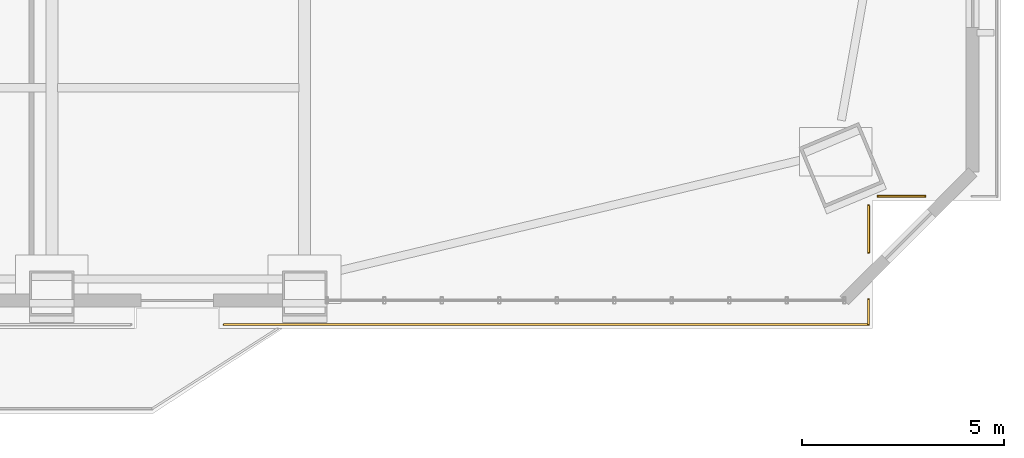
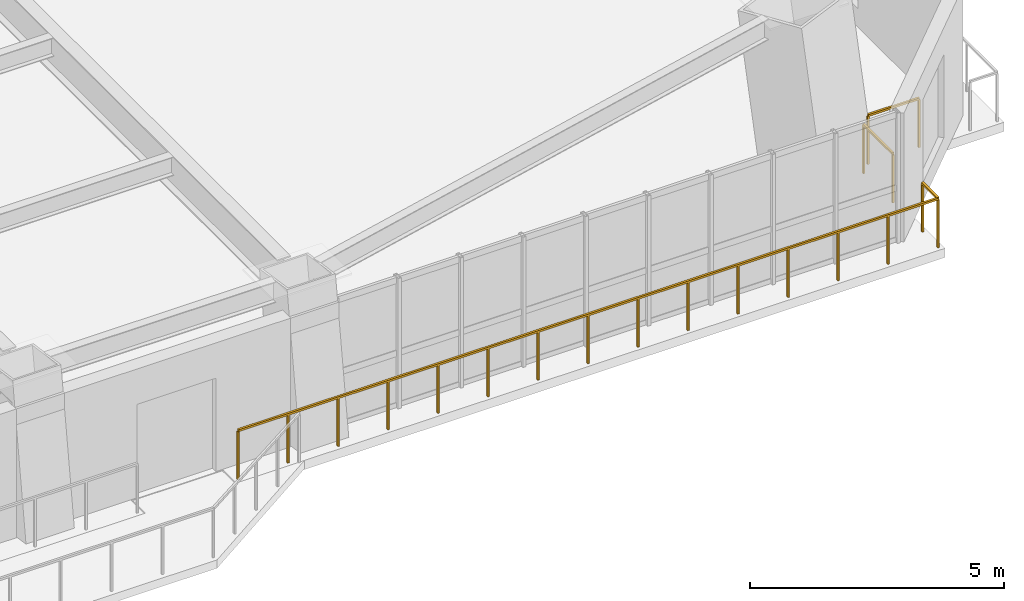
# One storey, part 14 of 17: 4 railings.
"""IFC4 building model written with IfcOpenShell, lengths in metres."""

from ifc_helpers import new_model, si_unit, direction, frame, origin, origin_2d, place, context, subcontext, project, spatial, rectangle, extrude, material, type_object, element, save


model = new_model("IFC4")

# Units and contexts
model_context = context("Model", 3, precision=1e-05, world=origin(), true_north=direction((0.0, 1.0)))
body_context = subcontext(model_context, "Body", "Model", "MODEL_VIEW")
ifc_project = project(units=[si_unit("LENGTHUNIT", "METRE"), si_unit("AREAUNIT", "SQUARE_METRE"), si_unit("VOLUMEUNIT", "CUBIC_METRE"), si_unit("PLANEANGLEUNIT", "RADIAN"), si_unit("MASSUNIT", "GRAM", prefix="KILO")], contexts=[model_context])

# Site, building, storey
site_placement = place(None, origin())
site = spatial("IfcSite", under=ifc_project, at=site_placement, CompositionType="ELEMENT")
building_placement = place(site_placement, origin())
building = spatial("IfcBuilding", under=site, at=building_placement, Name="Giltprow Tower", CompositionType="ELEMENT")
storey_placement = place(building_placement, frame((0.0, 0.0, 44.89990234375)))
storey = spatial("IfcBuildingStorey", under=building, at=storey_placement, Name="L11", CompositionType="ELEMENT", Elevation=44.89990234375)

# Railings
ifc_material = material(Name="Anodized bronze", Category="metal")
railing_type = type_object("IfcRailingType", Name="RAIL-BALC-GUARD-1200", PredefinedType="BALUSTRADE", material=ifc_material)
railing_1_placement = place(storey_placement, frame((65.884033203125, 6.39990234375, 0.0)))
element("IfcRailing", 1, at=railing_1_placement, inside=storey, type_object=railing_type, Name="L11 Corner Apron Edge Balustrade 18", PredefinedType="BALUSTRADE", context=body_context, shape_type="SweptSolid", body=[
    extrude(rectangle(XDim=0.048095703125, YDim=0.048095703125, at=origin_2d()), frame((0.0, 0.0, 1.17578125), z_axis=(-1.0, 0.0, 0.0), x_axis=(0.0, -1.0, 0.0)), (0.0, 0.0, 1.0), 1.157958984375),
    extrude(rectangle(XDim=0.0419921875, YDim=0.0419921875, at=origin_2d()), origin(), (0.0, 0.0, 1.0), 1.15185546875),
    extrude(rectangle(XDim=0.0419921875, YDim=0.0419921875, at=origin_2d()), frame((-1.157958984375, 0.0, 0.0)), (0.0, 0.0, 1.0), 1.15185546875),
])
railing_2_placement = place(storey_placement, frame((64.490966796875, 6.166015625, 0.0)))
element("IfcRailing", 2, at=railing_2_placement, inside=storey, type_object=railing_type, Name="L11 Corner Apron Edge Balustrade 19", PredefinedType="BALUSTRADE", context=body_context, shape_type="SweptSolid", body=[
    extrude(rectangle(XDim=0.048095703125, YDim=0.048095703125, at=origin_2d()), frame((0.0, 0.0, 1.17578125), z_axis=(0.0, -1.0, 0.0), x_axis=(1.0, 0.0, 0.0)), (0.0, 0.0, 1.0), 1.158935546875),
    extrude(rectangle(XDim=0.0419921875, YDim=0.0419921875, at=origin_2d()), origin(), (0.0, 0.0, 1.0), 1.15185546875),
    extrude(rectangle(XDim=0.0419921875, YDim=0.0419921875, at=origin_2d()), frame((0.0, -1.158935546875, 0.0)), (0.0, 0.0, 1.0), 1.15185546875),
])
railing_3_placement = place(storey_placement, frame((64.490966796875, 3.846923828125, 0.0)))
element("IfcRailing", 3, at=railing_3_placement, inside=storey, type_object=railing_type, Name="L11 Corner Apron Edge Balustrade 20", PredefinedType="BALUSTRADE", context=body_context, shape_type="SweptSolid", body=[
    extrude(rectangle(XDim=0.048095703125, YDim=0.048095703125, at=origin_2d()), frame((0.0, 0.0, 1.17578125), z_axis=(0.0, -1.0, 0.0), x_axis=(1.0, 0.0, 0.0)), (0.0, 0.0, 1.0), 0.619873046875),
    extrude(rectangle(XDim=0.0419921875, YDim=0.0419921875, at=origin_2d()), origin(), (0.0, 0.0, 1.0), 1.15185546875),
    extrude(rectangle(XDim=0.0419921875, YDim=0.0419921875, at=origin_2d()), frame((0.0, -0.619873046875, 0.0)), (0.0, 0.0, 1.0), 1.15185546875),
])
railing_4_placement = place(storey_placement, frame((64.490966796875, 3.22705078125, 0.0)))
element("IfcRailing", 4, at=railing_4_placement, inside=storey, type_object=railing_type, Name="L11 Corner Apron Edge Balustrade 21", PredefinedType="BALUSTRADE", context=body_context, shape_type="SweptSolid", body=[
    extrude(rectangle(XDim=0.048095703125, YDim=0.048095703125, at=origin_2d()), frame((0.0, 0.0, 1.17578125), z_axis=(-1.0, 0.0, 0.0), x_axis=(0.0, -1.0, 0.0)), (0.0, 0.0, 1.0), 15.94091796875),
    extrude(rectangle(XDim=0.0419921875, YDim=0.0419921875, at=origin_2d()), origin(), (0.0, 0.0, 1.0), 1.15185546875),
    extrude(rectangle(XDim=0.0419921875, YDim=0.0419921875, at=origin_2d()), frame((-1.138671875, 0.0, 0.0)), (0.0, 0.0, 1.0), 1.15185546875),
    extrude(rectangle(XDim=0.0419921875, YDim=0.0419921875, at=origin_2d()), frame((-2.27734375, 0.0, 0.0)), (0.0, 0.0, 1.0), 1.15185546875),
    extrude(rectangle(XDim=0.0419921875, YDim=0.0419921875, at=origin_2d()), frame((-3.416015625, 0.0, 0.0)), (0.0, 0.0, 1.0), 1.15185546875),
    extrude(rectangle(XDim=0.0419921875, YDim=0.0419921875, at=origin_2d()), frame((-4.554443359375, 0.0, 0.0)), (0.0, 0.0, 1.0), 1.15185546875),
    extrude(rectangle(XDim=0.0419921875, YDim=0.0419921875, at=origin_2d()), frame((-5.693115234375, 0.0, 0.0)), (0.0, 0.0, 1.0), 1.15185546875),
    extrude(rectangle(XDim=0.0419921875, YDim=0.0419921875, at=origin_2d()), frame((-6.831787109375, 0.0, 0.0)), (0.0, 0.0, 1.0), 1.15185546875),
    extrude(rectangle(XDim=0.0419921875, YDim=0.0419921875, at=origin_2d()), frame((-7.970458984375, 0.0, 0.0)), (0.0, 0.0, 1.0), 1.15185546875),
    extrude(rectangle(XDim=0.0419921875, YDim=0.0419921875, at=origin_2d()), frame((-9.109130859375, 0.0, 0.0)), (0.0, 0.0, 1.0), 1.15185546875),
    extrude(rectangle(XDim=0.0419921875, YDim=0.0419921875, at=origin_2d()), frame((-10.247802734375, 0.0, 0.0)), (0.0, 0.0, 1.0), 1.15185546875),
    extrude(rectangle(XDim=0.0419921875, YDim=0.0419921875, at=origin_2d()), frame((-11.386474609375, 0.0, 0.0)), (0.0, 0.0, 1.0), 1.15185546875),
    extrude(rectangle(XDim=0.0419921875, YDim=0.0419921875, at=origin_2d()), frame((-12.52490234375, 0.0, 0.0)), (0.0, 0.0, 1.0), 1.15185546875),
    extrude(rectangle(XDim=0.0419921875, YDim=0.0419921875, at=origin_2d()), frame((-13.66357421875, 0.0, 0.0)), (0.0, 0.0, 1.0), 1.15185546875),
    extrude(rectangle(XDim=0.0419921875, YDim=0.0419921875, at=origin_2d()), frame((-14.80224609375, 0.0, 0.0)), (0.0, 0.0, 1.0), 1.15185546875),
    extrude(rectangle(XDim=0.0419921875, YDim=0.0419921875, at=origin_2d()), frame((-15.94091796875, 0.0, 0.0)), (0.0, 0.0, 1.0), 1.15185546875),
])

save(model, "model.ifc")
